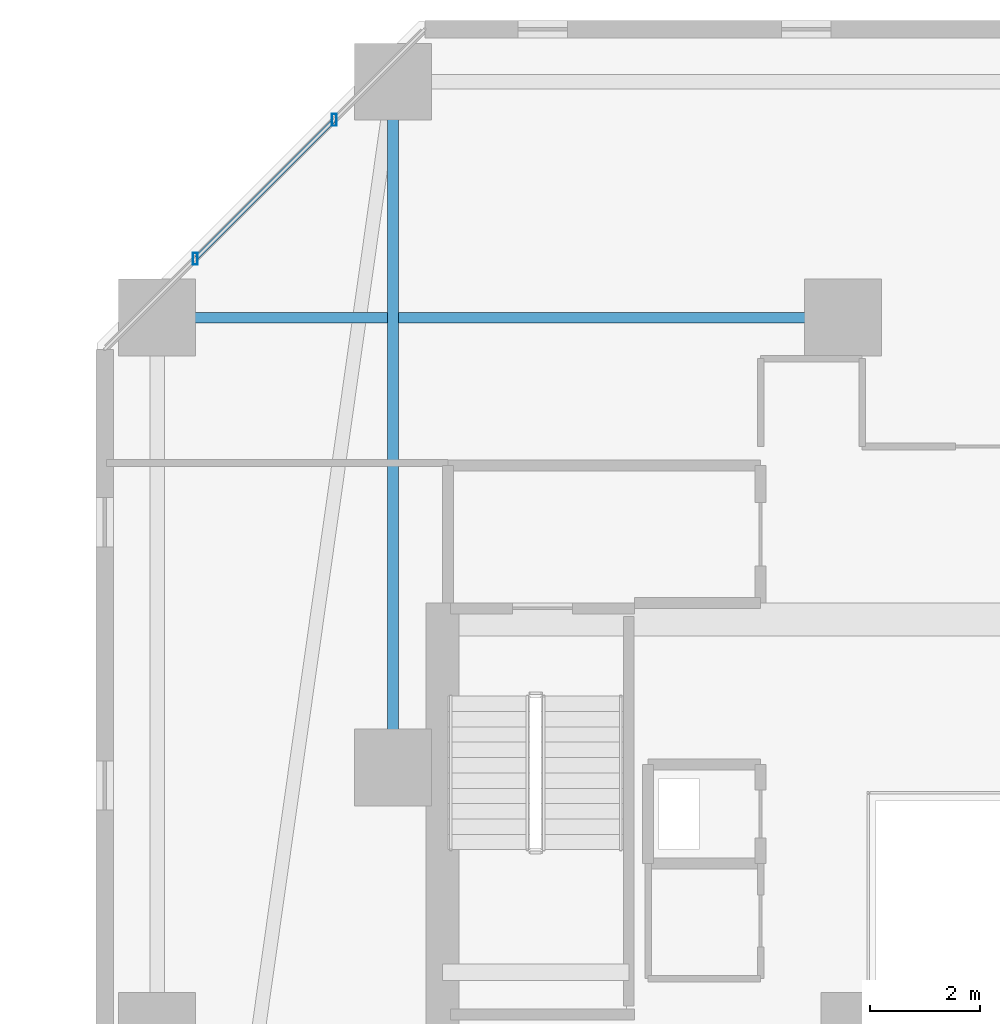
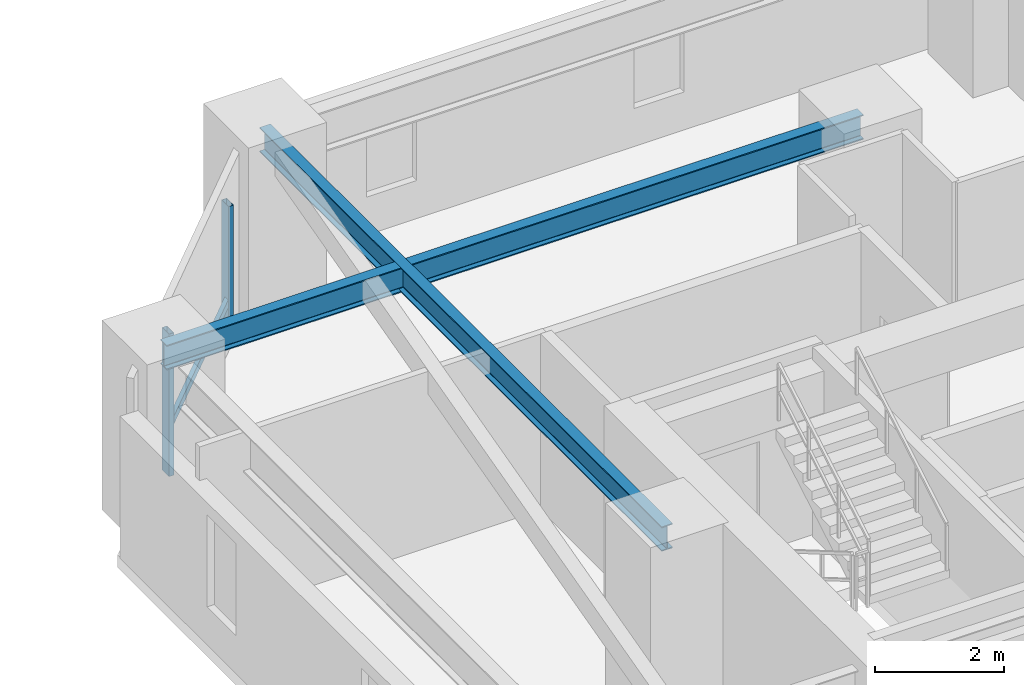
# One storey, part 14 of 33: 3 members, 2 beams, 1 element without a shape of its own.
"""IFC4 building model written with IfcOpenShell, lengths in metres."""

from ifc_helpers import new_model, si_unit, direction, frame, origin, origin_2d, place, context, subcontext, project, spatial, hollow_rectangle, i_section, extrude, material, material_profile, profile_set, type_object, element, aggregate, save


model = new_model("IFC4")

# Units and contexts
model_context = context("Model", 3, precision=1e-05, world=origin(), true_north=direction((0.0, 1.0)))
body_context = subcontext(model_context, "Body", "Model", "MODEL_VIEW")
ifc_project = project(units=[si_unit("LENGTHUNIT", "METRE"), si_unit("AREAUNIT", "SQUARE_METRE"), si_unit("VOLUMEUNIT", "CUBIC_METRE"), si_unit("PLANEANGLEUNIT", "RADIAN"), si_unit("MASSUNIT", "GRAM", prefix="KILO")], contexts=[model_context])

# Site, building, storey
site_placement = place(None, origin())
site = spatial("IfcSite", under=ifc_project, at=site_placement, CompositionType="ELEMENT")
building_placement = place(site_placement, origin())
building = spatial("IfcBuilding", under=site, at=building_placement, Name="Thornwick Lancets Civic Towers", CompositionType="ELEMENT")
storey_placement = place(building_placement, frame((0.0, 0.0, 31.5)))
storey = spatial("IfcBuildingStorey", under=building, at=storey_placement, Name="L07", CompositionType="ELEMENT", Elevation=31.5)

# Beams
ifc_material_1 = material(Name="Steel S355JR", Category="steel")
ifc_material_profile_1 = material_profile(ifc_material_1, i_section(OverallWidth=0.19287109375, OverallDepth=0.46728515625, WebThickness=0.011474609375, FlangeThickness=0.01953125, FilletRadius=0.01025390625, at=origin_2d()), Name="UKB 457x191x98")
ifc_profile_set_1 = profile_set([ifc_material_profile_1], Name="Steel S355JR")
beam_type = type_object("IfcBeamType", Name="BM_JOIST_457_98", PredefinedType="JOIST", material=ifc_profile_set_1)
for number, where, z_axis, x_axis, name in (
    (1, (75.5, 31.800048828125, 3.12646484375), (0.0, 1.0, 0.0), (-1.0, 0.0, 0.0), "BM-RADIN-L07-B06"),
    (2, (83.699951171875, 40.0, 3.12646484375), (-1.0, 0.0, 0.0), (0.0, -1.0, 0.0), "BM-RADIN-L07-B09"),
):
    element("IfcBeam", number, at=place(storey_placement, frame(where, z_axis=z_axis, x_axis=x_axis)), inside=storey, type_object=beam_type, Name=name, PredefinedType="JOIST", context=body_context, shape_type="SweptSolid", body=[
        extrude(i_section(OverallWidth=0.19287109375, OverallDepth=0.46728515625, WebThickness=0.011474609375, FlangeThickness=0.01953125, FilletRadius=0.01025390625, at=origin_2d()), origin(), (0.0, 0.0, 1.0), 12.5),
    ])

# Curtain wall, members
ifc_material_2 = material(Name="Low-zone chamfered-corner unitised glass curtain wall", Category="glass")
curtain_wall_type = type_object("IfcCurtainWallType", Name="CW_SYS_03", PredefinedType="NOTDEFINED", material=ifc_material_2)
curtain_wall_placement = place(storey_placement, origin())
curtain_wall = element("IfcCurtainWall", 3, at=curtain_wall_placement, inside=storey, type_object=curtain_wall_type, Name="L07 Curtain Wall CW-L07-B-E5", PredefinedType="NOTDEFINED")
ifc_material_3 = material(Name="Thermally broken bronze aluminium S355", Category="steel")
ifc_material_profile_2 = material_profile(ifc_material_3, hollow_rectangle(XDim=0.090087890625, YDim=0.219970703125, WallThickness=0.00634765625, at=origin_2d()), Name="RHS 220x90x6.3")
ifc_profile_set_2 = profile_set([ifc_material_profile_2], Name="Thermally broken bronze aluminium S355")
member_type_1 = type_object("IfcMemberType", Name="CW_MUL_220", PredefinedType="MULLION", material=ifc_profile_set_2)
member_1_placement = place(storey_placement, frame((74.42822265625, 43.60400390625, 0.0), z_axis=(0.0, 0.0, 1.0), x_axis=(1.0, 0.0, 0.0)))
member_1 = element("IfcMember", 4, at=member_1_placement, type_object=member_type_1, Name="CW-L07-B-E5 Mullion 0", PredefinedType="MULLION", context=body_context, shape_type="SweptSolid", body=[
    extrude(hollow_rectangle(XDim=0.090087890625, YDim=0.219970703125, WallThickness=0.00634765625, at=origin_2d()), origin(), (0.0, 0.0, 1.0), 2.699951171875),
])
member_2_placement = place(storey_placement, frame((71.89599609375, 41.07177734375, 0.0), z_axis=(0.0, 0.0, 1.0), x_axis=(1.0, 0.0, 0.0)))
member_2 = element("IfcMember", 5, at=member_2_placement, type_object=member_type_1, Name="CW-L07-B-E5 Mullion 1", PredefinedType="MULLION", context=body_context, shape_type="SweptSolid", body=[
    extrude(hollow_rectangle(XDim=0.090087890625, YDim=0.219970703125, WallThickness=0.00634765625, at=origin_2d()), origin(), (0.0, 0.0, 1.0), 2.699951171875),
])
ifc_material_profile_3 = material_profile(ifc_material_3, hollow_rectangle(XDim=0.074951171875, YDim=0.14990234375, WallThickness=0.0048828125, at=origin_2d()), Name="RHS 150x75x5")
ifc_profile_set_3 = profile_set([ifc_material_profile_3], Name="Thermally broken bronze aluminium S355")
member_type_2 = type_object("IfcMemberType", Name="CW_TRN_150", PredefinedType="USERDEFINED", material=ifc_profile_set_3)
member_3_placement = place(storey_placement, frame((74.414306640625, 43.58984375, 0.85009765625), z_axis=(-0.707106781187, -0.707106781187, 0.0), x_axis=(0.707106781187, -0.707106781187, 0.0)))
member_3 = element("IfcMember", 6, at=member_3_placement, type_object=member_type_2, Name="CW-L07-B-E5 Transom 0", ObjectType="TRANSOM", PredefinedType="USERDEFINED", context=body_context, shape_type="SweptSolid", body=[
    extrude(hollow_rectangle(XDim=0.074951171875, YDim=0.14990234375, WallThickness=0.0048828125, at=origin_2d()), origin(), (0.0, 0.0, 1.0), 3.54150390625),
])
aggregate(curtain_wall, [member_1, member_2, member_3])

save(model, "model.ifc")
